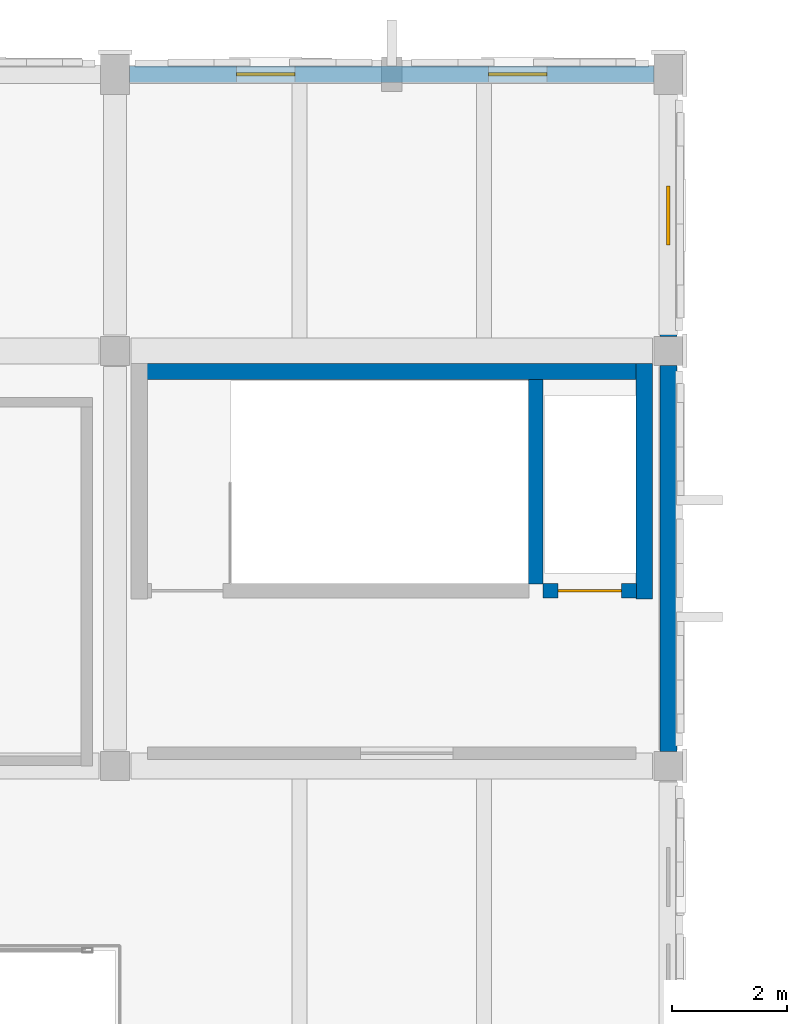
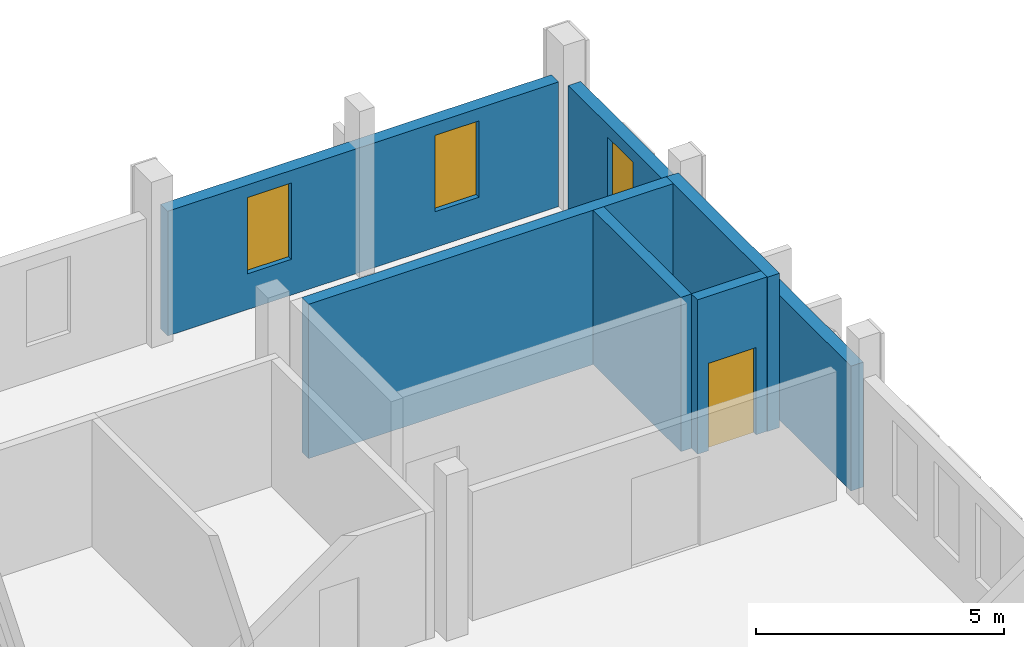
# One storey, part 18 of 24: 7 walls, 3 windows, 1 door, 4 openings.
"""IFC4 building model written with IfcOpenShell, lengths in metres."""

from ifc_helpers import new_model, si_unit, direction, frame, frame_2d, origin, place, context, subcontext, project, spatial, rectangle, extrude, material, layer, layer_set, type_object, element, fill, save


model = new_model("IFC4")

# Units and contexts
model_context = context("Model", 3, precision=1e-05, world=origin(), true_north=direction((0.0, 1.0)))
body_context = subcontext(model_context, "Body", "Model", "MODEL_VIEW")
ifc_project = project(units=[si_unit("LENGTHUNIT", "METRE"), si_unit("AREAUNIT", "SQUARE_METRE"), si_unit("VOLUMEUNIT", "CUBIC_METRE"), si_unit("PLANEANGLEUNIT", "RADIAN"), si_unit("MASSUNIT", "GRAM", prefix="KILO")], contexts=[model_context])

# Site, building, storey
site_placement = place(None, origin())
site = spatial("IfcSite", under=ifc_project, at=site_placement, CompositionType="ELEMENT")
building_placement = place(site_placement, origin())
building = spatial("IfcBuilding", under=site, at=building_placement, Name="Asteropetra Specialist Clinic", CompositionType="ELEMENT")
storey_placement = place(building_placement, frame((0.0, 0.0, 20.739990234375)))
storey = spatial("IfcBuildingStorey", under=building, at=storey_placement, Name="L05", CompositionType="ELEMENT", Elevation=20.739990234375)

# Wall, openings, windows
ifc_material_1 = material(Name="Chevron ivory", Category="masonry")
ifc_layer_1 = layer(ifc_material_1, 0.2900390625)
ifc_layer_set_1 = layer_set([ifc_layer_1], Name="Chevron ivory")
wall_type_1 = type_object("IfcWallType", Name="EW-CHEV-TER-290", PredefinedType="SOLIDWALL", material=ifc_layer_set_1)
wall_1_placement = place(storey_placement, frame((38.14990234375, 110.39990234375, 0.0), z_axis=(0.0, 0.0, 1.0), x_axis=(-1.0, 0.0, 0.0)))
wall_1 = element("IfcWall", 1, at=wall_1_placement, inside=storey, type_object=wall_type_1, Name="Exterior Wall EW-0148", PredefinedType="SOLIDWALL", context=body_context, shape_type="SweptSolid", body=[
    extrude(rectangle(XDim=9.099853515625, YDim=0.2900390625, at=frame_2d((4.5498046875, 0.0))), origin(), (0.0, 0.0, 1.0), 3.070068359375),
])
opening_1_placement = place(wall_1_placement, frame((1.85595703125, 0.0, 0.8798828125)))
opening_1 = element("IfcOpeningElement", 2, at=opening_1_placement, cuts=wall_1, Name="Opening W-0100", PredefinedType="OPENING", context=body_context, shape_type="SweptSolid", body=[
    extrude(rectangle(XDim=1.02001953125, YDim=1.8798828125, at=frame_2d((0.510009765625, 0.93994140625))), frame((0.0, 0.155029296875, 0.0), z_axis=(0.0, -1.0, 0.0), x_axis=(1.0, 0.0, 0.0)), (0.0, 0.0, 1.0), 0.31005859375),
])
opening_2_placement = place(wall_1_placement, frame((6.22412109375, 0.0, 0.8798828125)))
opening_2 = element("IfcOpeningElement", 3, at=opening_2_placement, cuts=wall_1, Name="Opening W-0101", PredefinedType="OPENING", context=body_context, shape_type="SweptSolid", body=[
    extrude(rectangle(XDim=1.02001953125, YDim=1.8798828125, at=frame_2d((0.510009765625, 0.93994140625))), frame((0.0, 0.155029296875, 0.0), z_axis=(0.0, -1.0, 0.0), x_axis=(1.0, 0.0, 0.0)), (0.0, 0.0, 1.0), 0.31005859375),
])
ifc_material_2 = material(Name="Thermally broken bronze aluminium and low-E glass", Category="aluminium")
window_type = type_object("IfcWindowType", Name="WIN-T31", PartitioningType="SINGLE_PANEL", PredefinedType="WINDOW", material=ifc_material_2)
window_1_placement = place(opening_1_placement, origin())
window_1 = element("IfcWindow", 4, at=window_1_placement, inside=storey, type_object=window_type, Name="Window W-0100", OverallHeight=1.8798828125, OverallWidth=1.02001953125, PartitioningType="SINGLE_PANEL", PredefinedType="WINDOW", context=body_context, shape_type="SweptSolid", body=[
    extrude(rectangle(XDim=1.02001953125, YDim=1.8798828125, at=frame_2d((0.510009765625, 0.93994140625))), frame((0.0, 0.030029296875, 0.0), z_axis=(0.0, -1.0, 0.0), x_axis=(1.0, 0.0, 0.0)), (0.0, 0.0, 1.0), 0.06005859375),
])
fill(opening_1, window_1)
window_2_placement = place(opening_2_placement, origin())
window_2 = element("IfcWindow", 5, at=window_2_placement, inside=storey, type_object=window_type, Name="Window W-0101", OverallHeight=1.8798828125, OverallWidth=1.02001953125, PartitioningType="SINGLE_PANEL", PredefinedType="WINDOW", context=body_context, shape_type="SweptSolid", body=[
    extrude(rectangle(XDim=1.02001953125, YDim=1.8798828125, at=frame_2d((0.510009765625, 0.93994140625))), frame((0.0, 0.030029296875, 0.0), z_axis=(0.0, -1.0, 0.0), x_axis=(1.0, 0.0, 0.0)), (0.0, 0.0, 1.0), 0.06005859375),
])
fill(opening_2, window_2)

# Wall
wall_2_placement = place(storey_placement, frame((38.39990234375, 98.64990234375, 0.0), z_axis=(0.0, 0.0, 1.0), x_axis=(0.0, 1.0, 0.0)))
element("IfcWall", 6, at=wall_2_placement, inside=storey, type_object=wall_type_1, Name="Exterior Wall EW-0156", PredefinedType="SOLIDWALL", context=body_context, shape_type="SweptSolid", body=[
    extrude(rectangle(XDim=6.7001953125, YDim=0.2900390625, at=frame_2d((3.35009765625, 0.0))), origin(), (0.0, 0.0, 1.0), 3.070068359375),
])

# Wall, opening, window
wall_3_placement = place(storey_placement, frame((38.39990234375, 105.85009765625, 0.0), z_axis=(0.0, 0.0, 1.0), x_axis=(0.0, 1.0, 0.0)))
wall_3 = element("IfcWall", 7, at=wall_3_placement, inside=storey, type_object=wall_type_1, Name="Exterior Wall EW-0158", PredefinedType="SOLIDWALL", context=body_context, shape_type="SweptSolid", body=[
    extrude(rectangle(XDim=4.199951171875, YDim=0.2900390625, at=frame_2d((2.10009765625, 0.0))), origin(), (0.0, 0.0, 1.0), 3.070068359375),
])
opening_3_placement = place(wall_3_placement, frame((1.590087890625, 0.0, 0.8798828125)))
opening_3 = element("IfcOpeningElement", 8, at=opening_3_placement, cuts=wall_3, Name="Opening W-0121", PredefinedType="OPENING", context=body_context, shape_type="SweptSolid", body=[
    extrude(rectangle(XDim=1.02001953125, YDim=1.8798828125, at=frame_2d((0.510009765625, 0.93994140625))), frame((0.0, 0.155029296875, 0.0), z_axis=(0.0, -1.0, 0.0), x_axis=(1.0, 0.0, 0.0)), (0.0, 0.0, 1.0), 0.31005859375),
])
window_3_placement = place(opening_3_placement, origin())
window_3 = element("IfcWindow", 9, at=window_3_placement, inside=storey, type_object=window_type, Name="Window W-0121", OverallHeight=1.8798828125, OverallWidth=1.02001953125, PartitioningType="SINGLE_PANEL", PredefinedType="WINDOW", context=body_context, shape_type="SweptSolid", body=[
    extrude(rectangle(XDim=1.02001953125, YDim=1.8798828125, at=frame_2d((0.510009765625, 0.93994140625))), frame((0.0, 0.030029296875, 0.0), z_axis=(0.0, -1.0, 0.0), x_axis=(1.0, 0.0, 0.0)), (0.0, 0.0, 1.0), 0.06005859375),
])
fill(opening_3, window_3)

# Walls
ifc_material_3 = material(Name="Concrete C35/45", Category="concrete")
ifc_layer_2 = layer(ifc_material_3, 0.280029296875)
ifc_layer_set_2 = layer_set([ifc_layer_2], Name="Concrete C35/45")
wall_type_2 = type_object("IfcWallType", Name="W-CORE-280", PredefinedType="SHEAR", material=ifc_layer_set_2)
wall_4_placement = place(storey_placement, frame((37.97998046875, 101.300048828125, 0.0), z_axis=(0.0, 0.0, 1.0), x_axis=(0.0, 1.0, 0.0)))
element("IfcWall", 10, at=wall_4_placement, inside=storey, type_object=wall_type_2, Name="Core Wall CW-C2-L05-E", PredefinedType="SHEAR", context=body_context, shape_type="SweptSolid", body=[
    extrude(rectangle(XDim=4.079833984375, YDim=0.280029296875, at=frame_2d((2.0400390625, 0.0))), origin(), (0.0, 0.0, 1.0), 3.800048828125),
])
wall_5_placement = place(storey_placement, frame((29.35498046875, 105.239990234375, 0.0), z_axis=(0.0, 0.0, 1.0), x_axis=(1.0, 0.0, 0.0)))
element("IfcWall", 11, at=wall_5_placement, inside=storey, type_object=wall_type_2, Name="Core Wall CW-C2-L05-BACK", PredefinedType="SHEAR", context=body_context, shape_type="SweptSolid", body=[
    extrude(rectangle(XDim=8.489990234375, YDim=0.280029296875, at=frame_2d((4.2451171875, 0.0))), origin(), (0.0, 0.0, 1.0), 3.800048828125),
])
ifc_material_4 = material(Name="Concrete C35/45", Category="concrete")
ifc_layer_3 = layer(ifc_material_4, 0.25)
ifc_layer_set_3 = layer_set([ifc_layer_3], Name="Concrete C35/45")
wall_type_3 = type_object("IfcWallType", Name="W-SHAFT-250", PredefinedType="SHEAR", material=ifc_layer_set_3)
wall_6_placement = place(storey_placement, frame((36.10009765625, 101.56005859375, 0.0), z_axis=(0.0, 0.0, 1.0), x_axis=(0.0, 1.0, 0.0)))
element("IfcWall", 12, at=wall_6_placement, inside=storey, type_object=wall_type_3, Name="Core Wall CW-C2-L05-MID", PredefinedType="SHEAR", context=body_context, shape_type="SweptSolid", body=[
    extrude(rectangle(XDim=3.5400390625, YDim=0.25, at=frame_2d((1.77001953125, 0.0))), origin(), (0.0, 0.0, 1.0), 3.800048828125),
])

# Wall, opening, door
wall_7_placement = place(storey_placement, frame((36.219970703125, 101.43994140625, 0.0), z_axis=(0.0, 0.0, 1.0), x_axis=(1.0, 0.0, 0.0)))
wall_7 = element("IfcWall", 13, at=wall_7_placement, inside=storey, type_object=wall_type_3, Name="Lift Shaft Front Wall CW-C2-L05-LFTF", PredefinedType="SHEAR", context=body_context, shape_type="SweptSolid", body=[
    extrude(rectangle(XDim=1.625, YDim=0.25, at=frame_2d((0.8125, 0.0))), origin(), (0.0, 0.0, 1.0), 3.800048828125),
])
opening_4_placement = place(wall_7_placement, frame((0.262451171875, 0.0, 0.0)))
opening_4 = element("IfcOpeningElement", 14, at=opening_4_placement, cuts=wall_7, Name="Opening LD-012", PredefinedType="OPENING", context=body_context, shape_type="SweptSolid", body=[
    extrude(rectangle(XDim=1.10009765625, YDim=2.14990234375, at=frame_2d((0.550048828125, 1.074951171875))), frame((0.0, 0.135009765625, 0.0), z_axis=(0.0, -1.0, 0.0), x_axis=(1.0, 0.0, 0.0)), (0.0, 0.0, 1.0), 0.27001953125),
])
ifc_material_5 = material(Name="Brushed stainless steel sliding lift landing door", Category="steel")
door_type = type_object("IfcDoorType", Name="LD-PASS-1100", OperationType="DOUBLE_DOOR_SLIDING", PredefinedType="DOOR", material=ifc_material_5)
door_placement = place(opening_4_placement, origin())
door = element("IfcDoor", 15, at=door_placement, inside=storey, type_object=door_type, Name="Lift Landing Door LD-012", OperationType="DOUBLE_DOOR_SLIDING", OverallHeight=2.14990234375, OverallWidth=1.10009765625, PredefinedType="DOOR", context=body_context, shape_type="SweptSolid", body=[
    extrude(rectangle(XDim=1.10009765625, YDim=2.14990234375, at=frame_2d((0.550048828125, 1.074951171875))), frame((0.0, 0.02490234375, 0.0), z_axis=(0.0, -1.0, 0.0), x_axis=(1.0, 0.0, 0.0)), (0.0, 0.0, 1.0), 0.050048828125),
])
fill(opening_4, door)

save(model, "model.ifc")
